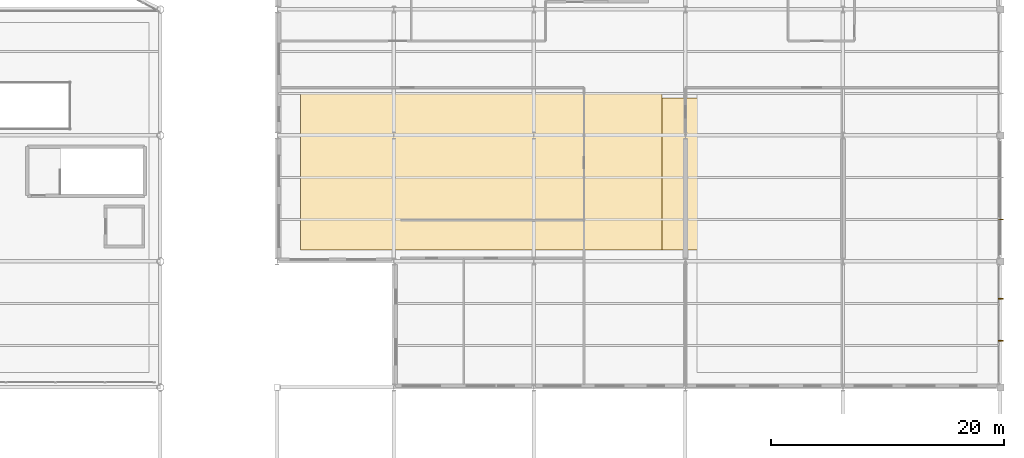
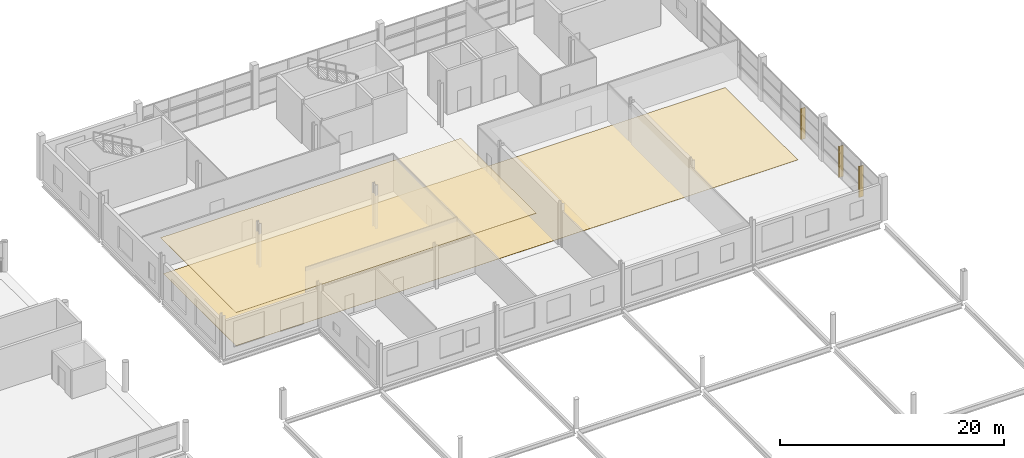
# One storey, part 132 of 134: 3 shading devices, 2 coverings.
"""IFC4 building model written with IfcOpenShell, lengths in metres."""

from ifc_helpers import new_model, si_unit, direction, frame, origin, origin_2d, place, context, subcontext, project, spatial, polyline, rectangle, outline, extrude, material, layer, layer_set, type_object, element, save


model = new_model("IFC4")

# Units and contexts
model_context = context("Model", 3, precision=1e-05, world=origin(), true_north=direction((0.0, 1.0)))
body_context = subcontext(model_context, "Body", "Model", "MODEL_VIEW")
ifc_project = project(units=[si_unit("LENGTHUNIT", "METRE"), si_unit("AREAUNIT", "SQUARE_METRE"), si_unit("VOLUMEUNIT", "CUBIC_METRE"), si_unit("PLANEANGLEUNIT", "RADIAN"), si_unit("MASSUNIT", "GRAM", prefix="KILO")], contexts=[model_context])

# Site, building, storey
site_placement = place(None, origin())
site = spatial("IfcSite", under=ifc_project, at=site_placement, CompositionType="ELEMENT")
building_placement = place(site_placement, origin())
building = spatial("IfcBuilding", under=site, at=building_placement, Name="Tamarisk Ironworks Central Station", CompositionType="ELEMENT")
storey_placement = place(building_placement, frame((0.0, 0.0, 12.60009765625)))
storey = spatial("IfcBuildingStorey", under=building, at=storey_placement, Name="L02", CompositionType="ELEMENT", Elevation=12.60009765625)

# Coverings
ifc_material_1 = material(Name="Anodized aluminium alloy 6063-T6", Category="aluminium")
ifc_layer_1 = layer(ifc_material_1, 0.044921875)
ifc_layer_set_1 = layer_set([ifc_layer_1], Name="Anodized aluminium alloy 6063-T6")
covering_type_1 = type_object("IfcCoveringType", Name="COV-CEIL-MT", PredefinedType="CEILING", material=ifc_layer_set_1)
covering_1_placement = place(storey_placement, frame((0.0, 0.0, 3.599853515625)))
element("IfcCovering", 1, at=covering_1_placement, inside=storey, type_object=covering_type_1, Name="L02 suspended acoustic baffle ceiling 006", PredefinedType="CEILING", context=body_context, shape_type="SweptSolid", body=[
    extrude(outline(polyline([(120.0, 91.0), (151.0, 91.0), (151.0, 104.5), (120.0, 104.5), (120.0, 91.0)])), origin(), (0.0, 0.0, 1.0), 0.045166015625),
])
ifc_material_2 = material(Name="Granite tactile platform paving", Category="masonry")
ifc_layer_2 = layer(ifc_material_2, 0.02001953125)
ifc_layer_set_2 = layer_set([ifc_layer_2], Name="Granite tactile platform paving")
covering_type_2 = type_object("IfcCoveringType", Name="COV-FLOOR-TC", PredefinedType="FLOORING", material=ifc_layer_set_2)
covering_2_placement = place(storey_placement, origin())
element("IfcCovering", 2, at=covering_2_placement, inside=storey, type_object=covering_type_2, Name="L02 granite/terrazzo floor finish 009", PredefinedType="FLOORING", context=body_context, shape_type="SweptSolid", body=[
    extrude(outline(polyline([(120.0, 91.0), (178.0, 91.0), (178.0, 104.0), (120.0, 104.0), (120.0, 91.0)])), origin(), (0.0, 0.0, 1.0), 0.02001953125),
])

# Shading devices
shading_device_type = type_object("IfcShadingDeviceType", Name="SHD-FN01", PredefinedType="USERDEFINED", material=ifc_material_1)
for number, where, z_axis, x_axis, name in (
    (3, (180.02001953125, 83.199951171875, 0.0), (0.0, 0.0, 1.0), (1.0, 0.0, 0.0), "L02 east vertical solar brise-soleil fin 025"),
    (4, (180.02001953125, 86.800048828125, 0.0), (0.0, 0.0, 1.0), (1.0, 0.0, 0.0), "L02 east vertical solar brise-soleil fin 026"),
    (5, (180.02001953125, 93.60009765625, 0.0), (0.0, 0.0, 1.0), (1.0, 0.0, 0.0), "L02 east vertical solar brise-soleil fin 027"),
):
    element("IfcShadingDevice", number, at=place(storey_placement, frame(where, z_axis=z_axis, x_axis=x_axis)), inside=storey, type_object=shading_device_type, Name=name, ObjectType="BRISE SOLEIL FIN", PredefinedType="USERDEFINED", context=body_context, shape_type="SweptSolid", body=[
        extrude(rectangle(XDim=0.43994140625, YDim=0.080078125, at=origin_2d()), origin(), (0.0, 0.0, 1.0), 3.39990234375),
    ])

save(model, "model.ifc")
